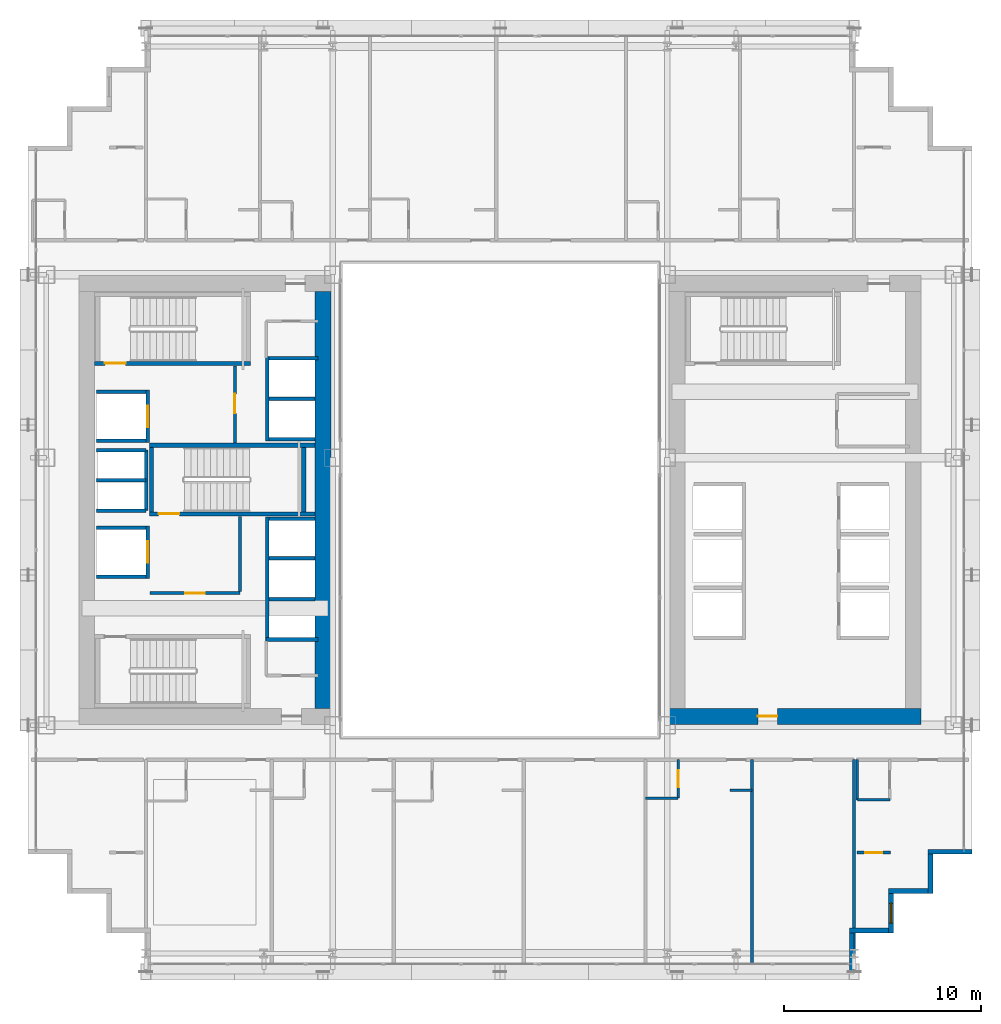
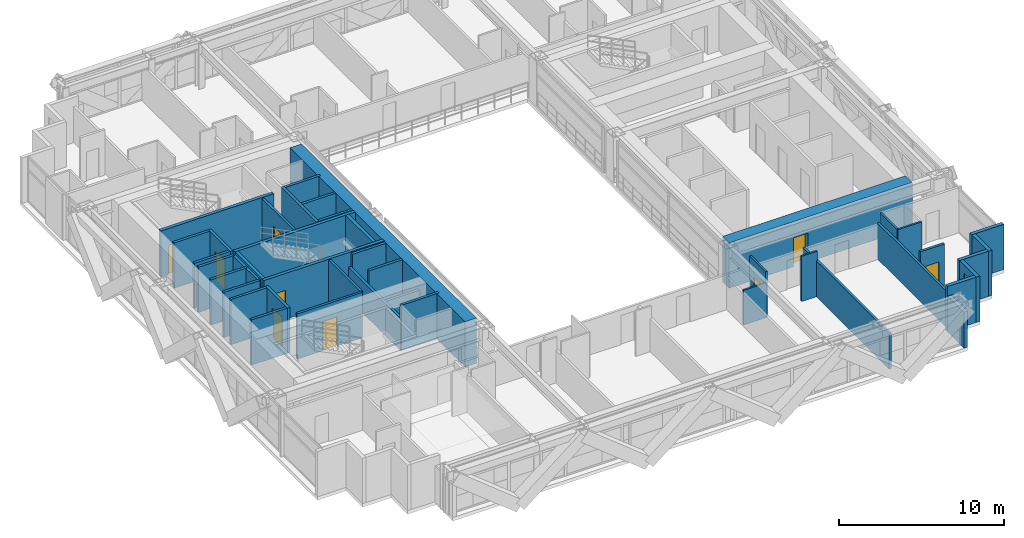
# One storey, part 34 of 41: 43 walls, 9 doors, 1 window, 10 openings.
"""IFC4 building model written with IfcOpenShell, lengths in metres."""

from ifc_helpers import new_model, si_unit, direction, frame, frame_2d, origin, place, context, subcontext, project, spatial, rectangle, extrude, source, transform, mapped, material, layer, layer_set, type_object, element, fill, save


model = new_model("IFC4")

# Units and contexts
model_context = context("Model", 3, precision=1e-05, world=origin(), true_north=direction((0.0, 1.0)))
body_context = subcontext(model_context, "Body", "Model", "MODEL_VIEW")
ifc_project = project(units=[si_unit("LENGTHUNIT", "METRE"), si_unit("AREAUNIT", "SQUARE_METRE"), si_unit("VOLUMEUNIT", "CUBIC_METRE"), si_unit("PLANEANGLEUNIT", "RADIAN"), si_unit("MASSUNIT", "GRAM", prefix="KILO")], contexts=[model_context])

# Site, building, storey
site_placement = place(None, origin())
site = spatial("IfcSite", under=ifc_project, at=site_placement, CompositionType="ELEMENT")
building_placement = place(site_placement, origin())
building = spatial("IfcBuilding", under=site, at=building_placement, Name="Ocotamira Hotel", CompositionType="ELEMENT")
storey_placement = place(building_placement, frame((0.0, 0.0, 52.800048828125)))
storey = spatial("IfcBuildingStorey", under=building, at=storey_placement, Name="L12", CompositionType="ELEMENT", Elevation=52.800048828125)

# Wall
ifc_material_1 = material(Name="Concrete C60/75", Category="concrete")
ifc_layer_1 = layer(ifc_material_1, 0.800048828125)
ifc_layer_set_1 = layer_set([ifc_layer_1], Name="Concrete C60/75")
wall_type_1 = type_object("IfcWallType", Name="WL-CORE-800", PredefinedType="SHEAR", material=ifc_layer_set_1)
wall_1_placement = place(storey_placement, frame((23.0, 15.39990234375, 0.0), z_axis=(0.0, 0.0, 1.0), x_axis=(0.0, 1.0, 0.0)))
element("IfcWall", 1, at=wall_1_placement, inside=storey, type_object=wall_type_1, Name="L12 Shear Core Wall WCORE-E", PredefinedType="SHEAR", context=body_context, shape_type="SweptSolid", body=[
    extrude(rectangle(XDim=21.2001953125, YDim=0.800048828125, at=frame_2d((10.60009765625, 0.0))), origin(), (0.0, 0.0, 1.0), 3.349853515625),
])

# Wall, opening, door
wall_2_placement = place(storey_placement, frame((40.60009765625, 15.0, 0.0), z_axis=(0.0, 0.0, 1.0), x_axis=(1.0, 0.0, 0.0)))
wall_2 = element("IfcWall", 2, at=wall_2_placement, inside=storey, type_object=wall_type_1, Name="L12 Shear Core Wall ECORE-S", PredefinedType="SHEAR", context=body_context, shape_type="SweptSolid", body=[
    extrude(rectangle(XDim=12.7998046875, YDim=0.800048828125, at=frame_2d((6.39990234375, 0.0))), origin(), (0.0, 0.0, 1.0), 3.349853515625),
])
opening_1_placement = place(wall_2_placement, frame((4.5, 0.0, 0.0)))
opening_1 = element("IfcOpeningElement", 3, at=opening_1_placement, cuts=wall_2, Name="Opening D-FR2", PredefinedType="OPENING", context=body_context, shape_type="SweptSolid", body=[
    extrude(rectangle(XDim=1.0, YDim=2.14990234375, at=frame_2d((0.5, 1.074951171875))), frame((0.0, 0.41015625, 0.0), z_axis=(0.0, -1.0, 0.0), x_axis=(1.0, 0.0, 0.0)), (0.0, 0.0, 1.0), 0.820068359375),
])
ifc_material_2 = material(Name="Fire-rated acoustic timber-veneer door", Category="wood")
door_type_1 = type_object("IfcDoorType", Name="DR-FIRE-1000", OperationType="NOTDEFINED", PredefinedType="DOOR", material=ifc_material_2)
shared_shape_1 = source(origin(), body_context, "Body", "SweptSolid", [
    extrude(rectangle(XDim=1.0, YDim=2.14990234375, at=frame_2d((0.5, 1.074951171875))), frame((0.0, 0.02490234375, 0.0), z_axis=(0.0, -1.0, 0.0), x_axis=(1.0, 0.0, 0.0)), (0.0, 0.0, 1.0), 0.050048828125),
])
door_1_placement = place(opening_1_placement, origin())
door_1 = element("IfcDoor", 4, at=door_1_placement, inside=storey, type_object=door_type_1, Name="L12 Door ID-L12-ELOB-S-D [ID-L12-ELOB-S-D]", OperationType="SINGLE_SWING_RIGHT", OverallHeight=2.14990234375, OverallWidth=1.0, PredefinedType="DOOR", context=body_context, shape_type="MappedRepresentation", body=[
    mapped(shared_shape_1, transform((0.0, 0.0, 0.0), scale=1.0)),
])
fill(opening_1, door_1)

# Walls
ifc_material_3 = material(Name="Precast concrete C45/55", Category="concrete")
ifc_layer_2 = layer(ifc_material_3, 0.25)
ifc_layer_set_2 = layer_set([ifc_layer_2], Name="Precast concrete C45/55")
wall_type_2 = type_object("IfcWallType", Name="WL-EXT-SER-250", PredefinedType="SOLIDWALL", material=ifc_layer_set_2)
wall_3_placement = place(storey_placement, frame((49.875, 2.0, 0.0), z_axis=(0.0, 0.0, 1.0), x_axis=(0.0, 1.0, 0.0)))
element("IfcWall", 5, at=wall_3_placement, inside=storey, type_object=wall_type_2, Name="L12 Serrated Corner Wall 01", PredefinedType="SOLIDWALL", context=body_context, shape_type="SweptSolid", body=[
    extrude(rectangle(XDim=2.0, YDim=0.25, at=frame_2d((1.0, 0.0))), origin(), (0.0, 0.0, 1.0), 2.656982421875),
])
wall_4_placement = place(storey_placement, frame((49.75, 4.125, 0.0), z_axis=(0.0, 0.0, 1.0), x_axis=(1.0, 0.0, 0.0)))
element("IfcWall", 6, at=wall_4_placement, inside=storey, type_object=wall_type_2, Name="L12 Serrated Corner Wall 02", PredefinedType="SOLIDWALL", context=body_context, shape_type="SweptSolid", body=[
    extrude(rectangle(XDim=2.0, YDim=0.25, at=frame_2d((1.0, 0.0))), origin(), (0.0, 0.0, 1.0), 3.349853515625),
])

# Wall, opening, window
wall_5_placement = place(storey_placement, frame((51.875, 4.0, 0.0), z_axis=(0.0, 0.0, 1.0), x_axis=(0.0, 1.0, 0.0)))
wall_5 = element("IfcWall", 7, at=wall_5_placement, inside=storey, type_object=wall_type_2, Name="L12 Serrated Corner Wall 03", PredefinedType="SOLIDWALL", context=body_context, shape_type="SweptSolid", body=[
    extrude(rectangle(XDim=2.0, YDim=0.25, at=frame_2d((1.0, 0.0))), origin(), (0.0, 0.0, 1.0), 3.349853515625),
])
opening_2_placement = place(wall_5_placement, frame((0.5, 0.0, 0.85009765625)))
opening_2 = element("IfcOpeningElement", 8, at=opening_2_placement, cuts=wall_5, Name="Opening WN-2", PredefinedType="OPENING", context=body_context, shape_type="SweptSolid", body=[
    extrude(rectangle(XDim=1.0, YDim=1.89990234375, at=frame_2d((0.5, 0.949951171875))), frame((0.0, 0.135009765625, 0.0), z_axis=(0.0, -1.0, 0.0), x_axis=(1.0, 0.0, 0.0)), (0.0, 0.0, 1.0), 0.27001953125),
])
ifc_material_4 = material(Name="Double-silver low-E solar glass", Category="glass")
window_type = type_object("IfcWindowType", Name="WIN-SER-1100", PartitioningType="SINGLE_PANEL", PredefinedType="WINDOW", material=ifc_material_4)
shared_shape_2 = source(origin(), body_context, "Body", "SweptSolid", [
    extrude(rectangle(XDim=1.0, YDim=1.89990234375, at=frame_2d((0.5, 0.949951171875))), frame((0.0, 0.030029296875, 0.0), z_axis=(0.0, -1.0, 0.0), x_axis=(1.0, 0.0, 0.0)), (0.0, 0.0, 1.0), 0.06005859375),
])
window_placement = place(opening_2_placement, origin())
window = element("IfcWindow", 9, at=window_placement, inside=storey, type_object=window_type, Name="L12 Serrated Corner Window 03", OverallHeight=1.89990234375, OverallWidth=1.0, PartitioningType="SINGLE_PANEL", PredefinedType="WINDOW", context=body_context, shape_type="MappedRepresentation", body=[
    mapped(shared_shape_2, transform((0.0, 0.0, 0.0), scale=1.0)),
])
fill(opening_2, window)

# Walls
for number, where, z_axis, x_axis, name in (
    (10, (51.75, 6.125, 0.0), (0.0, 0.0, 1.0), (1.0, 0.0, 0.0), "L12 Serrated Corner Wall 04"),
    (11, (53.875, 6.0, 0.0), (0.0, 0.0, 1.0), (0.0, 1.0, 0.0), "L12 Serrated Corner Wall 05"),
):
    element("IfcWall", number, at=place(storey_placement, frame(where, z_axis=z_axis, x_axis=x_axis)), inside=storey, type_object=wall_type_2, Name=name, PredefinedType="SOLIDWALL", context=body_context, shape_type="SweptSolid", body=[
        extrude(rectangle(XDim=2.0, YDim=0.25, at=frame_2d((1.0, 0.0))), origin(), (0.0, 0.0, 1.0), 3.349853515625),
    ])
wall_6_placement = place(storey_placement, frame((53.75, 8.125, 0.0), z_axis=(0.0, 0.0, 1.0), x_axis=(1.0, 0.0, 0.0)))
element("IfcWall", 12, at=wall_6_placement, inside=storey, type_object=wall_type_2, Name="L12 Serrated Corner Wall 06", PredefinedType="SOLIDWALL", context=body_context, shape_type="SweptSolid", body=[
    extrude(rectangle(XDim=2.25, YDim=0.25, at=frame_2d((1.125, 0.0))), origin(), (0.0, 0.0, 1.0), 3.349853515625),
])

# Wall, opening, door
ifc_material_5 = material(Name="Acoustic double-layer fire gypsum board partition", Category="gypsum")
ifc_layer_3 = layer(ifc_material_5, 0.159912109375)
ifc_layer_set_3 = layer_set([ifc_layer_3], Name="Acoustic double-layer fire gypsum board partition")
wall_type_3 = type_object("IfcWallType", Name="WL-FIRE-160", PredefinedType="PARTITIONING", material=ifc_layer_set_3)
wall_7_placement = place(storey_placement, frame((14.199951171875, 21.27001953125, 0.0), z_axis=(0.0, 0.0, 1.0), x_axis=(1.0, 0.0, 0.0)))
wall_7 = element("IfcWall", 13, at=wall_7_placement, inside=storey, type_object=wall_type_3, Name="L12 Interior Wall PW-L12-FSAE1-S", PredefinedType="PARTITIONING", context=body_context, shape_type="SweptSolid", body=[
    extrude(rectangle(XDim=4.580078125, YDim=0.159912109375, at=frame_2d((2.2900390625, 0.0))), origin(), (0.0, 0.0, 1.0), 3.349853515625),
])
opening_3_placement = place(wall_7_placement, frame((1.800048828125, 0.0, 0.0)))
opening_3 = element("IfcOpeningElement", 14, at=opening_3_placement, cuts=wall_7, Name="Opening D-FR2", PredefinedType="OPENING", context=body_context, shape_type="SweptSolid", body=[
    extrude(rectangle(XDim=1.0, YDim=2.14990234375, at=frame_2d((0.5, 1.074951171875))), frame((0.0, 0.08984375, 0.0), z_axis=(0.0, -1.0, 0.0), x_axis=(1.0, 0.0, 0.0)), (0.0, 0.0, 1.0), 0.179931640625),
])
door_2_placement = place(opening_3_placement, origin())
door_2 = element("IfcDoor", 15, at=door_2_placement, inside=storey, type_object=door_type_1, Name="L12 Door ID-L12-FSAE1-D [ID-L12-FSAE1-D]", OperationType="SINGLE_SWING_LEFT", OverallHeight=2.14990234375, OverallWidth=1.0, PredefinedType="DOOR", context=body_context, shape_type="MappedRepresentation", body=[
    mapped(shared_shape_1, transform((0.0, 0.0, 0.0), scale=1.0)),
])
fill(opening_3, door_2)

# Wall
wall_8_placement = place(storey_placement, frame((18.780029296875, 21.35009765625, 0.0), z_axis=(0.0, 0.0, 1.0), x_axis=(0.0, 1.0, 0.0)))
element("IfcWall", 16, at=wall_8_placement, inside=storey, type_object=wall_type_3, Name="L12 Interior Wall PW-L12-FSAE1-E", PredefinedType="PARTITIONING", context=body_context, shape_type="SweptSolid", body=[
    extrude(rectangle(XDim=3.809814453125, YDim=0.159912109375, at=frame_2d((1.90478515625, 0.0))), origin(), (0.0, 0.0, 1.0), 3.349853515625),
])

# Wall, opening, door
wall_9_placement = place(storey_placement, frame((18.530029296875, 28.89990234375, 0.0), z_axis=(0.0, 0.0, 1.0), x_axis=(0.0, 1.0, 0.0)))
wall_9 = element("IfcWall", 17, at=wall_9_placement, inside=storey, type_object=wall_type_3, Name="L12 Interior Wall PW-L12-FSAE2-E", PredefinedType="PARTITIONING", context=body_context, shape_type="SweptSolid", body=[
    extrude(rectangle(XDim=3.900146484375, YDim=0.159912109375, at=frame_2d((1.9501953125, 0.0))), origin(), (0.0, 0.0, 1.0), 3.349853515625),
])
opening_4_placement = place(wall_9_placement, frame((1.5, 0.0, 0.0)))
opening_4 = element("IfcOpeningElement", 18, at=opening_4_placement, cuts=wall_9, Name="Opening D-FR2", PredefinedType="OPENING", context=body_context, shape_type="SweptSolid", body=[
    extrude(rectangle(XDim=1.0, YDim=2.14990234375, at=frame_2d((0.5, 1.074951171875))), frame((0.0, 0.08984375, 0.0), z_axis=(0.0, -1.0, 0.0), x_axis=(1.0, 0.0, 0.0)), (0.0, 0.0, 1.0), 0.179931640625),
])
door_3_placement = place(opening_4_placement, origin())
door_3 = element("IfcDoor", 19, at=door_3_placement, inside=storey, type_object=door_type_1, Name="L12 Door ID-L12-FSAE2-D [ID-L12-FSAE2-D]", OperationType="SINGLE_SWING_RIGHT", OverallHeight=2.14990234375, OverallWidth=1.0, PredefinedType="DOOR", context=body_context, shape_type="MappedRepresentation", body=[
    mapped(shared_shape_1, transform((0.0, 0.0, 0.0), scale=1.0)),
])
fill(opening_4, door_3)

wall_10_placement = place(storey_placement, frame((50.14990234375, 8.080078125, 0.0), z_axis=(0.0, 0.0, 1.0), x_axis=(1.0, 0.0, 0.0)))
wall_10 = element("IfcWall", 20, at=wall_10_placement, inside=storey, type_object=wall_type_3, Name="L12 Interior Wall PW-L12-Z1B-CSE2-CW", PredefinedType="PARTITIONING", context=body_context, shape_type="SweptSolid", body=[
    extrude(rectangle(XDim=1.7001953125, YDim=0.159912109375, at=frame_2d((0.85009765625, 0.0))), origin(), (0.0, 0.0, 1.0), 3.349853515625),
])
opening_5_placement = place(wall_10_placement, frame((0.409912109375, 0.0, 0.0)))
opening_5 = element("IfcOpeningElement", 21, at=opening_5_placement, cuts=wall_10, Name="Opening D-SV2", PredefinedType="OPENING", context=body_context, shape_type="SweptSolid", body=[
    extrude(rectangle(XDim=0.8798828125, YDim=2.14990234375, at=frame_2d((0.43994140625, 1.074951171875))), frame((0.0, 0.08984375, 0.0), z_axis=(0.0, -1.0, 0.0), x_axis=(1.0, 0.0, 0.0)), (0.0, 0.0, 1.0), 0.179931640625),
])
ifc_material_6 = material(Name="Fire-rated painted steel service door", Category="steel")
door_type_2 = type_object("IfcDoorType", Name="DR-SERV-880", OperationType="NOTDEFINED", PredefinedType="DOOR", material=ifc_material_6)
shared_shape_3 = source(origin(), body_context, "Body", "SweptSolid", [
    extrude(rectangle(XDim=0.8798828125, YDim=2.14990234375, at=frame_2d((0.43994140625, 1.074951171875))), frame((0.0, 0.02490234375, 0.0), z_axis=(0.0, -1.0, 0.0), x_axis=(1.0, 0.0, 0.0)), (0.0, 0.0, 1.0), 0.050048828125),
])
door_4_placement = place(opening_5_placement, origin())
door_4 = element("IfcDoor", 22, at=door_4_placement, inside=storey, type_object=door_type_2, Name="L12 Door ID-L12-Z1B-CSE2-CD [ID-L12-Z1B-CSE2-CD]", OperationType="SINGLE_SWING_LEFT", OverallHeight=2.14990234375, OverallWidth=0.8798828125, PredefinedType="DOOR", context=body_context, shape_type="MappedRepresentation", body=[
    mapped(shared_shape_3, transform((0.0, 0.0, 0.0), scale=1.0)),
])
fill(opening_5, door_4)

# Walls
ifc_material_7 = material(Name="Moisture-resistant en-suite tile and gypsum partition", Category="gypsum")
ifc_layer_4 = layer(ifc_material_7, 0.1201171875)
ifc_layer_set_4 = layer_set([ifc_layer_4], Name="Moisture-resistant en-suite tile and gypsum partition")
wall_type_4 = type_object("IfcWallType", Name="WL-PART-120", PredefinedType="PARTITIONING", material=ifc_layer_set_4)
wall_11_placement = place(storey_placement, frame((50.159912109375, 10.760009765625, 0.0), z_axis=(0.0, 0.0, 1.0), x_axis=(0.0, 1.0, 0.0)))
element("IfcWall", 23, at=wall_11_placement, inside=storey, type_object=wall_type_4, Name="L12 Interior Wall PW-L12-Z1B-CSE-BW", PredefinedType="PARTITIONING", context=body_context, shape_type="SweptSolid", body=[
    extrude(rectangle(XDim=2.0400390625, YDim=0.1201171875, at=frame_2d((1.02001953125, 0.0))), origin(), (0.0, 0.0, 1.0), 3.349853515625),
])
wall_12_placement = place(storey_placement, frame((50.159912109375, 10.760009765625, 0.0), z_axis=(0.0, 0.0, 1.0), x_axis=(1.0, 0.0, 0.0)))
element("IfcWall", 24, at=wall_12_placement, inside=storey, type_object=wall_type_4, Name="L12 Interior Wall PW-L12-Z1B-CSE-BH", PredefinedType="PARTITIONING", context=body_context, shape_type="SweptSolid", body=[
    extrude(rectangle(XDim=1.650146484375, YDim=0.1201171875, at=frame_2d((0.8251953125, 0.0))), origin(), (0.0, 0.0, 1.0), 3.349853515625),
])

# Wall, opening, door
wall_13_placement = place(storey_placement, frame((41.050048828125, 10.85009765625, 0.0), z_axis=(0.0, 0.0, 1.0), x_axis=(0.0, 1.0, 0.0)))
wall_13 = element("IfcWall", 25, at=wall_13_placement, inside=storey, type_object=wall_type_4, Name="L12 Interior Wall PW-L12-Z1BS-BAE5", PredefinedType="PARTITIONING", context=body_context, shape_type="SweptSolid", body=[
    extrude(rectangle(XDim=1.949951171875, YDim=0.1201171875, at=frame_2d((0.97509765625, 0.0))), origin(), (0.0, 0.0, 1.0), 3.349853515625),
])
opening_6_placement = place(wall_13_placement, frame((0.544921875, 0.0, 0.0)))
opening_6 = element("IfcOpeningElement", 26, at=opening_6_placement, cuts=wall_13, Name="Opening D-BA1", PredefinedType="OPENING", context=body_context, shape_type="SweptSolid", body=[
    extrude(rectangle(XDim=0.860107421875, YDim=2.10009765625, at=frame_2d((0.43017578125, 1.050048828125))), frame((0.0, 0.070068359375, 0.0), z_axis=(0.0, -1.0, 0.0), x_axis=(1.0, 0.0, 0.0)), (0.0, 0.0, 1.0), 0.14013671875),
])
ifc_material_8 = material(Name="Moisture-sealed en-suite timber door", Category="wood")
door_type_3 = type_object("IfcDoorType", Name="DR-BATH-860", OperationType="NOTDEFINED", PredefinedType="DOOR", material=ifc_material_8)
shared_shape_4 = source(origin(), body_context, "Body", "SweptSolid", [
    extrude(rectangle(XDim=0.860107421875, YDim=2.10009765625, at=frame_2d((0.43017578125, 1.050048828125))), frame((0.0, 0.02490234375, 0.0), z_axis=(0.0, -1.0, 0.0), x_axis=(1.0, 0.0, 0.0)), (0.0, 0.0, 1.0), 0.050048828125),
])
door_5_placement = place(opening_6_placement, origin())
door_5 = element("IfcDoor", 27, at=door_5_placement, inside=storey, type_object=door_type_3, Name="L12 Door ID-L12-Z1BS-BAD5 [ID-L12-Z1BS-BAD5]", OperationType="SINGLE_SWING_RIGHT", OverallHeight=2.10009765625, OverallWidth=0.860107421875, PredefinedType="DOOR", context=body_context, shape_type="MappedRepresentation", body=[
    mapped(shared_shape_4, transform((0.0, 0.0, 0.0), scale=1.0)),
])
fill(opening_6, door_5)

# Walls
wall_14_placement = place(storey_placement, frame((39.39990234375, 10.85009765625, 0.0), z_axis=(0.0, 0.0, 1.0), x_axis=(1.0, 0.0, 0.0)))
element("IfcWall", 28, at=wall_14_placement, inside=storey, type_object=wall_type_4, Name="L12 Interior Wall PW-L12-Z1BS-BAS5", PredefinedType="PARTITIONING", context=body_context, shape_type="SweptSolid", body=[
    extrude(rectangle(XDim=1.650146484375, YDim=0.1201171875, at=frame_2d((0.8251953125, 0.0))), origin(), (0.0, 0.0, 1.0), 2.571044921875),
])
wall_15_placement = place(storey_placement, frame((43.699951171875, 11.25, 0.0), z_axis=(0.0, 0.0, 1.0), x_axis=(1.0, 0.0, 0.0)))
element("IfcWall", 29, at=wall_15_placement, inside=storey, type_object=wall_type_4, Name="L12 Interior Wall PW-L12-Z1BS-DRN5", PredefinedType="PARTITIONING", context=body_context, shape_type="SweptSolid", body=[
    extrude(rectangle(XDim=1.10009765625, YDim=0.1201171875, at=frame_2d((0.550048828125, 0.0))), origin(), (0.0, 0.0, 1.0), 3.349853515625),
])
ifc_material_9 = material(Name="Acoustic double-stud hospitality gypsum partition", Category="gypsum")
ifc_layer_5 = layer(ifc_material_9, 0.159912109375)
ifc_layer_set_5 = layer_set([ifc_layer_5], Name="Acoustic double-stud hospitality gypsum partition")
wall_type_5 = type_object("IfcWallType", Name="WL-PART-160", PredefinedType="PARTITIONING", material=ifc_layer_set_5)
for number, where, z_axis, x_axis, name in (
    (30, (50.0, 2.360107421875, 0.0), (0.0, 0.0, 1.0), (0.0, 1.0, 0.0), "L12 Interior Wall PW-L12-Z1BS-PWEND"),
    (31, (44.800048828125, 2.360107421875, 0.0), (0.0, 0.0, 1.0), (0.0, 1.0, 0.0), "L12 Interior Wall PW-L12-Z1BS-PW5"),
):
    element("IfcWall", number, at=place(storey_placement, frame(where, z_axis=z_axis, x_axis=x_axis)), inside=storey, type_object=wall_type_5, Name=name, PredefinedType="PARTITIONING", context=body_context, shape_type="SweptSolid", body=[
        extrude(rectangle(XDim=10.43994140625, YDim=0.159912109375, at=frame_2d((5.219970703125, 0.0))), origin(), (0.0, 0.0, 1.0), 2.656982421875),
    ])
ifc_material_10 = material(Name="Fire-rated gypsum shaftliner board assembly", Category="gypsum")
ifc_layer_6 = layer(ifc_material_10, 0.179931640625)
ifc_layer_set_6 = layer_set([ifc_layer_6], Name="Fire-rated gypsum shaftliner board assembly")
wall_type_6 = type_object("IfcWallType", Name="WL-SHAFT-180", PredefinedType="SOLIDWALL", material=ifc_layer_set_6)
wall_16_placement = place(storey_placement, frame((20.159912109375, 18.820068359375, 0.0), z_axis=(0.0, 0.0, 1.0), x_axis=(0.0, 1.0, 0.0)))
element("IfcWall", 32, at=wall_16_placement, inside=storey, type_object=wall_type_6, Name="L12 Interior Wall PW-L12-LFW-BANK-high-F", PredefinedType="SOLIDWALL", context=body_context, shape_type="SweptSolid", body=[
    extrude(rectangle(XDim=6.31982421875, YDim=0.179931640625, at=frame_2d((3.159912109375, 0.0))), origin(), (0.0, 0.0, 1.0), 2.35986328125),
])
wall_17_placement = place(storey_placement, frame((20.1201171875, 18.909912109375, 0.0), z_axis=(0.0, 0.0, 1.0), x_axis=(1.0, 0.0, 0.0)))
element("IfcWall", 33, at=wall_17_placement, inside=storey, type_object=wall_type_6, Name="L12 Interior Wall PW-L12-LFW-BANK-high-S", PredefinedType="SOLIDWALL", context=body_context, shape_type="SweptSolid", body=[
    extrude(rectangle(XDim=2.6298828125, YDim=0.179931640625, at=frame_2d((1.31494140625, 0.0))), origin(), (0.0, 0.0, 1.0), 3.349853515625),
])
wall_18_placement = place(storey_placement, frame((20.25, 25.050048828125, 0.0), z_axis=(0.0, 0.0, 1.0), x_axis=(1.0, 0.0, 0.0)))
element("IfcWall", 34, at=wall_18_placement, inside=storey, type_object=wall_type_6, Name="L12 Interior Wall PW-L12-LFW-BANK-high-N", PredefinedType="SOLIDWALL", context=body_context, shape_type="SweptSolid", body=[
    extrude(rectangle(XDim=2.360107421875, YDim=0.179931640625, at=frame_2d((1.18017578125, 0.0))), origin(), (0.0, 0.0, 1.0), 3.349853515625),
])
wall_19_placement = place(storey_placement, frame((20.25, 20.965087890625, 0.0), z_axis=(0.0, 0.0, 1.0), x_axis=(1.0, 0.0, 0.0)))
element("IfcWall", 35, at=wall_19_placement, inside=storey, type_object=wall_type_6, Name="L12 Interior Wall PW-L12-LFW-DIV-LF-P7", PredefinedType="SOLIDWALL", context=body_context, shape_type="SweptSolid", body=[
    extrude(rectangle(XDim=2.360107421875, YDim=0.179931640625, at=frame_2d((1.18017578125, 0.0))), origin(), (0.0, 0.0, 1.0), 2.35986328125),
])
wall_20_placement = place(storey_placement, frame((20.25, 23.044921875, 0.0), z_axis=(0.0, 0.0, 1.0), x_axis=(1.0, 0.0, 0.0)))
element("IfcWall", 36, at=wall_20_placement, inside=storey, type_object=wall_type_6, Name="L12 Interior Wall PW-L12-LFW-DIV-LF-P8", PredefinedType="SOLIDWALL", context=body_context, shape_type="SweptSolid", body=[
    extrude(rectangle(XDim=2.360107421875, YDim=0.179931640625, at=frame_2d((1.18017578125, 0.0))), origin(), (0.0, 0.0, 1.0), 3.349853515625),
])
wall_21_placement = place(storey_placement, frame((20.159912109375, 29.0, 0.0), z_axis=(0.0, 0.0, 1.0), x_axis=(0.0, 1.0, 0.0)))
element("IfcWall", 37, at=wall_21_placement, inside=storey, type_object=wall_type_6, Name="L12 Interior Wall PW-L12-LFW-BANK-obs-F", PredefinedType="SOLIDWALL", context=body_context, shape_type="SweptSolid", body=[
    extrude(rectangle(XDim=4.2900390625, YDim=0.179931640625, at=frame_2d((2.14501953125, 0.0))), origin(), (0.0, 0.0, 1.0), 3.349853515625),
])
wall_22_placement = place(storey_placement, frame((20.25, 29.090087890625, 0.0), z_axis=(0.0, 0.0, 1.0), x_axis=(1.0, 0.0, 0.0)))
element("IfcWall", 38, at=wall_22_placement, inside=storey, type_object=wall_type_6, Name="L12 Interior Wall PW-L12-LFW-BANK-obs-S", PredefinedType="SOLIDWALL", context=body_context, shape_type="SweptSolid", body=[
    extrude(rectangle(XDim=2.360107421875, YDim=0.179931640625, at=frame_2d((1.18017578125, 0.0))), origin(), (0.0, 0.0, 1.0), 3.349853515625),
])
wall_23_placement = place(storey_placement, frame((20.25, 33.199951171875, 0.0), z_axis=(0.0, 0.0, 1.0), x_axis=(1.0, 0.0, 0.0)))
element("IfcWall", 39, at=wall_23_placement, inside=storey, type_object=wall_type_6, Name="L12 Interior Wall PW-L12-LFW-BANK-obs-N", PredefinedType="SOLIDWALL", context=body_context, shape_type="SweptSolid", body=[
    extrude(rectangle(XDim=2.5, YDim=0.179931640625, at=frame_2d((1.25, 0.0))), origin(), (0.0, 0.0, 1.0), 3.349853515625),
])
wall_24_placement = place(storey_placement, frame((20.25, 31.14501953125, 0.0), z_axis=(0.0, 0.0, 1.0), x_axis=(1.0, 0.0, 0.0)))
element("IfcWall", 40, at=wall_24_placement, inside=storey, type_object=wall_type_6, Name="L12 Interior Wall PW-L12-LFW-DIV-LF-OBS1", PredefinedType="SOLIDWALL", context=body_context, shape_type="SweptSolid", body=[
    extrude(rectangle(XDim=2.360107421875, YDim=0.179931640625, at=frame_2d((1.18017578125, 0.0))), origin(), (0.0, 0.0, 1.0), 3.349853515625),
])
for number, where, z_axis, x_axis, name in (
    (41, (11.5, 22.110107421875, 0.0), (0.0, 0.0, 1.0), (1.0, 0.0, 0.0), "L12 Interior Wall PW-L12-LFW-LF-FSAE1-S"),
    (42, (11.5, 24.590087890625, 0.0), (0.0, 0.0, 1.0), (1.0, 0.0, 0.0), "L12 Interior Wall PW-L12-LFW-LF-FSAE1-N"),
):
    element("IfcWall", number, at=place(storey_placement, frame(where, z_axis=z_axis, x_axis=x_axis)), inside=storey, type_object=wall_type_6, Name=name, PredefinedType="SOLIDWALL", context=body_context, shape_type="SweptSolid", body=[
        extrude(rectangle(XDim=2.5, YDim=0.179931640625, at=frame_2d((1.25, 0.0))), origin(), (0.0, 0.0, 1.0), 3.349853515625),
    ])

# Wall, opening, door
wall_25_placement = place(storey_placement, frame((14.090087890625, 22.02001953125, 0.0), z_axis=(0.0, 0.0, 1.0), x_axis=(0.0, 1.0, 0.0)))
wall_25 = element("IfcWall", 43, at=wall_25_placement, inside=storey, type_object=wall_type_6, Name="L12 Interior Wall PW-L12-LFW-LF-FSAE1-E", PredefinedType="SOLIDWALL", context=body_context, shape_type="SweptSolid", body=[
    extrude(rectangle(XDim=2.659912109375, YDim=0.179931640625, at=frame_2d((1.330078125, 0.0))), origin(), (0.0, 0.0, 1.0), 3.349853515625),
])
opening_7_placement = place(wall_25_placement, frame((0.780029296875, 0.0, 0.0)))
opening_7 = element("IfcOpeningElement", 44, at=opening_7_placement, cuts=wall_25, Name="Opening LD-LF-FSAE1", PredefinedType="OPENING", context=body_context, shape_type="SweptSolid", body=[
    extrude(rectangle(XDim=1.10009765625, YDim=2.199951171875, at=frame_2d((0.550048828125, 1.10009765625))), frame((0.0, 0.10009765625, 0.0), z_axis=(0.0, -1.0, 0.0), x_axis=(1.0, 0.0, 0.0)), (0.0, 0.0, 1.0), 0.199951171875),
])
ifc_material_11 = material(Name="Brushed pale-metal stainless elevator landing door", Category="steel")
door_type_4 = type_object("IfcDoorType", Name="DR-LIFT-1100", OperationType="NOTDEFINED", PredefinedType="DOOR", material=ifc_material_11)
shared_shape_5 = source(origin(), body_context, "Body", "SweptSolid", [
    extrude(rectangle(XDim=1.10009765625, YDim=2.199951171875, at=frame_2d((0.550048828125, 1.10009765625))), frame((0.0, 0.02490234375, 0.0), z_axis=(0.0, -1.0, 0.0), x_axis=(1.0, 0.0, 0.0)), (0.0, 0.0, 1.0), 0.050048828125),
])
door_6_placement = place(opening_7_placement, origin())
door_6 = element("IfcDoor", 45, at=door_6_placement, inside=storey, type_object=door_type_4, Name="L12 Landing Door LD-LF-FSAE1 [ID-L12-LD-LF-FSAE1]", OperationType="DOUBLE_DOOR_SLIDING", OverallHeight=2.199951171875, OverallWidth=1.10009765625, PredefinedType="DOOR", context=body_context, shape_type="MappedRepresentation", body=[
    mapped(shared_shape_5, transform((0.0, 0.0, 0.0), scale=1.0)),
])
fill(opening_7, door_6)

# Walls
for number, where, z_axis, x_axis, name in (
    (46, (11.5, 29.010009765625, 0.0), (0.0, 0.0, 1.0), (1.0, 0.0, 0.0), "L12 Interior Wall PW-L12-LFW-LF-FSAE2-S"),
    (47, (11.5, 31.489990234375, 0.0), (0.0, 0.0, 1.0), (1.0, 0.0, 0.0), "L12 Interior Wall PW-L12-LFW-LF-FSAE2-N"),
):
    element("IfcWall", number, at=place(storey_placement, frame(where, z_axis=z_axis, x_axis=x_axis)), inside=storey, type_object=wall_type_6, Name=name, PredefinedType="SOLIDWALL", context=body_context, shape_type="SweptSolid", body=[
        extrude(rectangle(XDim=2.5, YDim=0.179931640625, at=frame_2d((1.25, 0.0))), origin(), (0.0, 0.0, 1.0), 3.349853515625),
    ])

# Wall, opening, door
wall_26_placement = place(storey_placement, frame((14.090087890625, 28.919921875, 0.0), z_axis=(0.0, 0.0, 1.0), x_axis=(0.0, 1.0, 0.0)))
wall_26 = element("IfcWall", 48, at=wall_26_placement, inside=storey, type_object=wall_type_6, Name="L12 Interior Wall PW-L12-LFW-LF-FSAE2-E", PredefinedType="SOLIDWALL", context=body_context, shape_type="SweptSolid", body=[
    extrude(rectangle(XDim=2.66015625, YDim=0.179931640625, at=frame_2d((1.330078125, 0.0))), origin(), (0.0, 0.0, 1.0), 3.349853515625),
])
opening_8_placement = place(wall_26_placement, frame((0.780029296875, 0.0, 0.0)))
opening_8 = element("IfcOpeningElement", 49, at=opening_8_placement, cuts=wall_26, Name="Opening LD-LF-FSAE2", PredefinedType="OPENING", context=body_context, shape_type="SweptSolid", body=[
    extrude(rectangle(XDim=1.10009765625, YDim=2.199951171875, at=frame_2d((0.550048828125, 1.10009765625))), frame((0.0, 0.10009765625, 0.0), z_axis=(0.0, -1.0, 0.0), x_axis=(1.0, 0.0, 0.0)), (0.0, 0.0, 1.0), 0.199951171875),
])
door_7_placement = place(opening_8_placement, origin())
door_7 = element("IfcDoor", 50, at=door_7_placement, inside=storey, type_object=door_type_4, Name="L12 Landing Door LD-LF-FSAE2 [ID-L12-LD-LF-FSAE2]", OperationType="DOUBLE_DOOR_SLIDING", OverallHeight=2.199951171875, OverallWidth=1.10009765625, PredefinedType="DOOR", context=body_context, shape_type="MappedRepresentation", body=[
    mapped(shared_shape_5, transform((0.0, 0.0, 0.0), scale=1.0)),
])
fill(opening_8, door_7)

# Walls
for number, where, z_axis, x_axis, name in (
    (51, (11.5, 25.4599609375, 0.0), (0.0, 0.0, 1.0), (1.0, 0.0, 0.0), "L12 Interior Wall PW-L12-RSW-S"),
    (52, (11.5, 27.0, 0.0), (0.0, 0.0, 1.0), (1.0, 0.0, 0.0), "L12 Interior Wall PW-L12-RSW-MID"),
    (53, (11.5, 28.5400390625, 0.0), (0.0, 0.0, 1.0), (1.0, 0.0, 0.0), "L12 Interior Wall PW-L12-RSW-N"),
):
    element("IfcWall", number, at=place(storey_placement, frame(where, z_axis=z_axis, x_axis=x_axis)), inside=storey, type_object=wall_type_6, Name=name, PredefinedType="SOLIDWALL", context=body_context, shape_type="SweptSolid", body=[
        extrude(rectangle(XDim=2.510009765625, YDim=0.179931640625, at=frame_2d((1.2548828125, 0.0))), origin(), (0.0, 0.0, 1.0), 3.349853515625),
    ])
wall_27_placement = place(storey_placement, frame((14.010009765625, 25.4599609375, 0.0), z_axis=(0.0, 0.0, 1.0), x_axis=(0.0, 1.0, 0.0)))
element("IfcWall", 54, at=wall_27_placement, inside=storey, type_object=wall_type_6, Name="L12 Interior Wall PW-L12-RSW-E", PredefinedType="SOLIDWALL", context=body_context, shape_type="SweptSolid", body=[
    extrude(rectangle(XDim=3.080078125, YDim=0.179931640625, at=frame_2d((1.5400390625, 0.0))), origin(), (0.0, 0.0, 1.0), 3.349853515625),
])

# Wall, opening, door
ifc_material_12 = material(Name="Concrete C50/60", Category="concrete")
ifc_layer_7 = layer(ifc_material_12, 0.219970703125)
ifc_layer_set_7 = layer_set([ifc_layer_7], Name="Concrete C50/60")
wall_type_7 = type_object("IfcWallType", Name="WL-STAIR-220", PredefinedType="SHEAR", material=ifc_layer_set_7)
wall_28_placement = place(storey_placement, frame((11.39990234375, 32.93994140625, 0.0), z_axis=(0.0, 0.0, 1.0), x_axis=(1.0, 0.0, 0.0)))
wall_28 = element("IfcWall", 55, at=wall_28_placement, inside=storey, type_object=wall_type_7, Name="L12 Stair Shaft Structural Wall ST-2-S", PredefinedType="SHEAR", context=body_context, shape_type="SweptSolid", body=[
    extrude(rectangle(XDim=7.91015625, YDim=0.219970703125, at=frame_2d((3.955078125, 0.0))), origin(), (0.0, 0.0, 1.0), 3.39990234375),
])
opening_9_placement = place(wall_28_placement, frame((0.52001953125, 0.0, 0.0)))
opening_9 = element("IfcOpeningElement", 56, at=opening_9_placement, cuts=wall_28, Name="Opening D-ST2", PredefinedType="OPENING", context=body_context, shape_type="SweptSolid", body=[
    extrude(rectangle(XDim=1.050048828125, YDim=2.14990234375, at=frame_2d((0.52490234375, 1.074951171875))), frame((0.0, 0.1201171875, 0.0), z_axis=(0.0, -1.0, 0.0), x_axis=(1.0, 0.0, 0.0)), (0.0, 0.0, 1.0), 0.239990234375),
])
ifc_material_13 = material(Name="Insulated painted hollow-metal fire exit door", Category="steel")
door_type_5 = type_object("IfcDoorType", Name="DR-STAIR-1050", OperationType="NOTDEFINED", PredefinedType="DOOR", material=ifc_material_13)
shared_shape_6 = source(origin(), body_context, "Body", "SweptSolid", [
    extrude(rectangle(XDim=1.050048828125, YDim=2.14990234375, at=frame_2d((0.52490234375, 1.074951171875))), frame((0.0, 0.02490234375, 0.0), z_axis=(0.0, -1.0, 0.0), x_axis=(1.0, 0.0, 0.0)), (0.0, 0.0, 1.0), 0.050048828125),
])
door_8_placement = place(opening_9_placement, origin())
door_8 = element("IfcDoor", 57, at=door_8_placement, inside=storey, type_object=door_type_5, Name="L12 Door ID-L12-STD-ST-2 [ID-L12-STD-ST-2]", OperationType="SINGLE_SWING_RIGHT", OverallHeight=2.14990234375, OverallWidth=1.050048828125, PredefinedType="DOOR", context=body_context, shape_type="MappedRepresentation", body=[
    mapped(shared_shape_6, transform((0.0, 0.0, 0.0), scale=1.0)),
])
fill(opening_9, door_8)

wall_29_placement = place(storey_placement, frame((14.179931640625, 25.2900390625, 0.0), z_axis=(0.0, 0.0, 1.0), x_axis=(1.0, 0.0, 0.0)))
wall_29 = element("IfcWall", 58, at=wall_29_placement, inside=storey, type_object=wall_type_7, Name="L12 Stair Shaft Structural Wall ST-3-S", PredefinedType="SHEAR", context=body_context, shape_type="SweptSolid", body=[
    extrude(rectangle(XDim=8.420166015625, YDim=0.219970703125, at=frame_2d((4.2099609375, 0.0))), origin(), (0.0, 0.0, 1.0), 3.39990234375),
])
opening_10_placement = place(wall_29_placement, frame((0.469970703125, 0.0, 0.0)))
opening_10 = element("IfcOpeningElement", 59, at=opening_10_placement, cuts=wall_29, Name="Opening D-ST2", PredefinedType="OPENING", context=body_context, shape_type="SweptSolid", body=[
    extrude(rectangle(XDim=1.050048828125, YDim=2.14990234375, at=frame_2d((0.52490234375, 1.074951171875))), frame((0.0, 0.1201171875, 0.0), z_axis=(0.0, -1.0, 0.0), x_axis=(1.0, 0.0, 0.0)), (0.0, 0.0, 1.0), 0.239990234375),
])
door_9_placement = place(opening_10_placement, origin())
door_9 = element("IfcDoor", 60, at=door_9_placement, inside=storey, type_object=door_type_5, Name="L12 Door ID-L12-STD-ST-3 [ID-L12-STD-ST-3]", OperationType="SINGLE_SWING_LEFT", OverallHeight=2.14990234375, OverallWidth=1.050048828125, PredefinedType="DOOR", context=body_context, shape_type="MappedRepresentation", body=[
    mapped(shared_shape_6, transform((0.0, 0.0, 0.0), scale=1.0)),
])
fill(opening_10, door_9)

# Walls
wall_30_placement = place(storey_placement, frame((14.179931640625, 28.7900390625, 0.0), z_axis=(0.0, 0.0, 1.0), x_axis=(1.0, 0.0, 0.0)))
element("IfcWall", 61, at=wall_30_placement, inside=storey, type_object=wall_type_7, Name="L12 Stair Shaft Structural Wall ST-3-N", PredefinedType="SHEAR", context=body_context, shape_type="SweptSolid", body=[
    extrude(rectangle(XDim=8.420166015625, YDim=0.219970703125, at=frame_2d((4.2099609375, 0.0))), origin(), (0.0, 0.0, 1.0), 3.39990234375),
])
for number, where, z_axis, x_axis, name in (
    (62, (14.2900390625, 25.39990234375, 0.0), (0.0, 0.0, 1.0), (0.0, 1.0, 0.0), "L12 Stair Shaft Structural Wall ST-3-W"),
    (63, (22.030029296875, 25.39990234375, 0.0), (0.0, 0.0, 1.0), (0.0, 1.0, 0.0), "L12 Stair Shaft Structural Wall ST-3-E"),
):
    element("IfcWall", number, at=place(storey_placement, frame(where, z_axis=z_axis, x_axis=x_axis)), inside=storey, type_object=wall_type_7, Name=name, PredefinedType="SHEAR", context=body_context, shape_type="SweptSolid", body=[
        extrude(rectangle(XDim=3.280029296875, YDim=0.219970703125, at=frame_2d((1.64013671875, 0.0))), origin(), (0.0, 0.0, 1.0), 3.39990234375),
    ])

save(model, "model.ifc")
